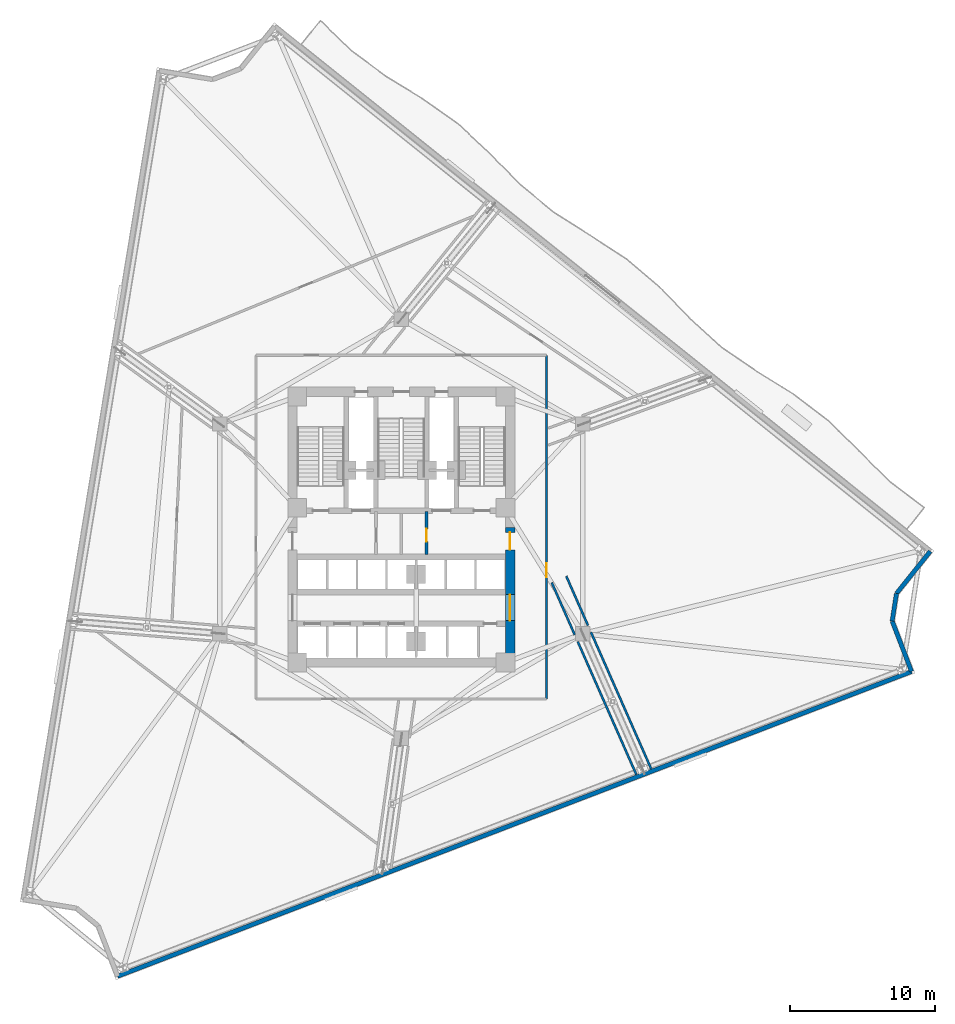
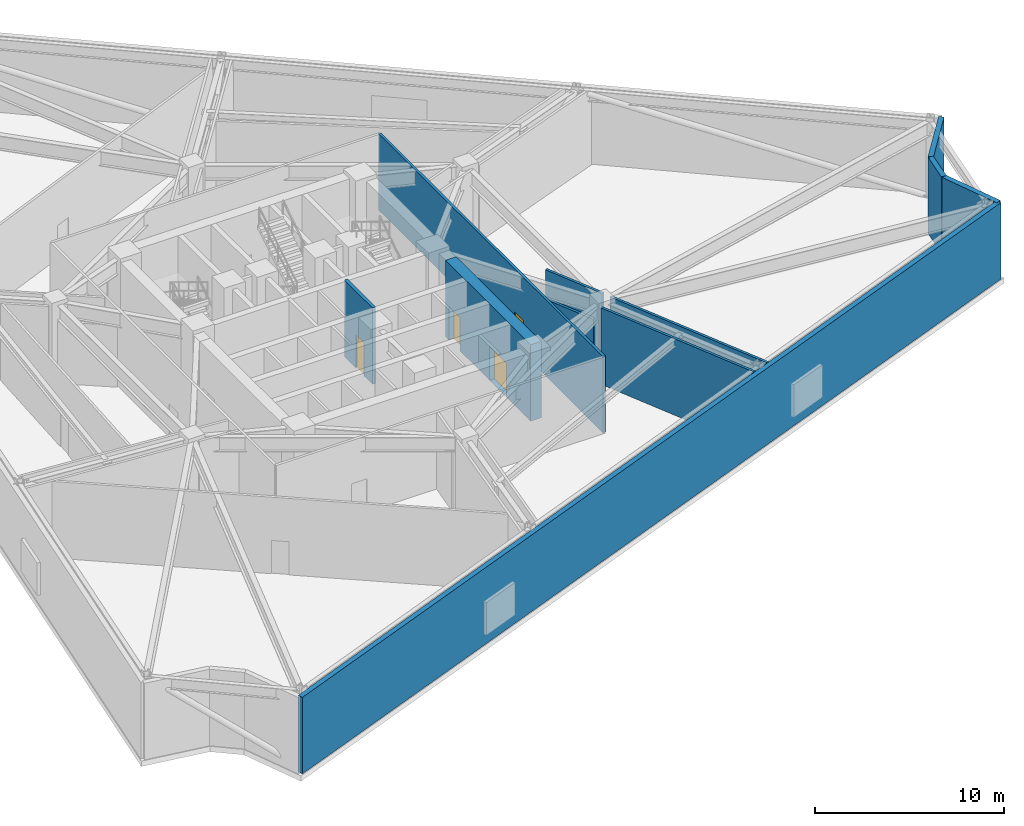
# One storey, part 13 of 18: 11 walls, 4 doors, 4 openings.
"""IFC4 building model written with IfcOpenShell, lengths in metres."""

from ifc_helpers import new_model, si_unit, direction, frame, frame_2d, origin, place, context, subcontext, project, spatial, rectangle, extrude, material, layer, layer_set, type_object, element, fill, save


model = new_model("IFC4")

# Units and contexts
model_context = context("Model", 3, precision=1e-05, world=origin(), true_north=direction((0.0, 1.0)))
body_context = subcontext(model_context, "Body", "Model", "MODEL_VIEW")
ifc_project = project(units=[si_unit("LENGTHUNIT", "METRE"), si_unit("AREAUNIT", "SQUARE_METRE"), si_unit("VOLUMEUNIT", "CUBIC_METRE"), si_unit("PLANEANGLEUNIT", "RADIAN"), si_unit("MASSUNIT", "GRAM", prefix="KILO")], contexts=[model_context])

# Site, building, storey
site_placement = place(None, origin())
site = spatial("IfcSite", under=ifc_project, at=site_placement, CompositionType="ELEMENT")
building_placement = place(site_placement, origin())
building = spatial("IfcBuilding", under=site, at=building_placement, Name="Apsidion Concourse Tower", CompositionType="ELEMENT")
storey_placement = place(building_placement, frame((0.0, 0.0, 127.0)))
storey = spatial("IfcBuildingStorey", under=building, at=storey_placement, Name="L29", CompositionType="ELEMENT", Elevation=127.0)

# Walls
ifc_material_1 = material(Name="Precast concrete C40/50", Category="concrete")
ifc_layer_1 = layer(ifc_material_1, 0.300048828125)
ifc_layer_set_1 = layer_set([ifc_layer_1], Name="Precast concrete C40/50")
wall_type_1 = type_object("IfcWallType", Name="WL-EXT-300", PredefinedType="STANDARD", material=ifc_layer_set_1)
wall_1_placement = place(storey_placement, frame((36.58984375, -1.556640625, 0.0), z_axis=(0.0, 0.0, 1.0), x_axis=(-0.62493402561, -0.780677567012, 0.0)))
element("IfcWall", 1, at=wall_1_placement, inside=storey, type_object=wall_type_1, Name="L29 Precast Stone Facade Wall 02", PredefinedType="STANDARD", context=body_context, shape_type="SweptSolid", body=[
    extrude(rectangle(XDim=3.737060546875, YDim=0.300048828125, at=frame_2d((1.86865234375, 0.0))), origin(), (0.0, 0.0, 1.0), 4.949951171875),
])
wall_2_placement = place(storey_placement, frame((34.25439453125, -4.47412109375, 0.0), z_axis=(0.0, 0.0, 1.0), x_axis=(-0.153717968475, -0.988114763663, 0.0)))
element("IfcWall", 2, at=wall_2_placement, inside=storey, type_object=wall_type_1, Name="L29 Precast Stone Facade Wall 03", PredefinedType="STANDARD", context=body_context, shape_type="SweptSolid", body=[
    extrude(rectangle(XDim=1.932861328125, YDim=0.300048828125, at=frame_2d((0.96630859375, 0.0))), origin(), (0.0, 0.0, 1.0), 4.949951171875),
])
wall_3_placement = place(storey_placement, frame((33.957275390625, -6.384033203125, 0.0), z_axis=(0.0, 0.0, 1.0), x_axis=(0.358344201462, -0.933589542186, 0.0)))
element("IfcWall", 3, at=wall_3_placement, inside=storey, type_object=wall_type_1, Name="L29 Precast Stone Facade Wall 04", PredefinedType="STANDARD", context=body_context, shape_type="SweptSolid", body=[
    extrude(rectangle(XDim=3.737060546875, YDim=0.300048828125, at=frame_2d((1.86865234375, 0.0))), origin(), (0.0, 0.0, 1.0), 4.949951171875),
])
wall_4_placement = place(storey_placement, frame((35.29638671875, -9.872802734375, 0.0), z_axis=(0.0, 0.0, 1.0), x_axis=(-0.933580612554, -0.35836746485, 0.0)))
element("IfcWall", 4, at=wall_4_placement, inside=storey, type_object=wall_type_1, Name="L29 Precast Stone Facade Wall 05", PredefinedType="STANDARD", context=body_context, shape_type="SweptSolid", body=[
    extrude(rectangle(XDim=58.827880859375, YDim=0.300048828125, at=frame_2d((29.4140625, 0.0))), origin(), (0.0, 0.0, 1.0), 4.949951171875),
])

# Wall, opening, door
ifc_material_2 = material(Name="Gypsum plasterboard partition")
ifc_layer_2 = layer(ifc_material_2, 0.14990234375)
ifc_layer_set_2 = layer_set([ifc_layer_2], Name="Gypsum plasterboard partition")
wall_type_2 = type_object("IfcWallType", Name="WL-INT-PAR-150", PredefinedType="PARTITIONING", material=ifc_layer_set_2)
wall_5_placement = place(storey_placement, frame((10.050048828125, 12.0, 0.0), z_axis=(0.0, 0.0, 1.0), x_axis=(0.0, -1.0, 0.0)))
wall_5 = element("IfcWall", 5, at=wall_5_placement, inside=storey, type_object=wall_type_2, Name="L29 Interior Partition WL-L29-CORR-02", PredefinedType="PARTITIONING", context=body_context, shape_type="SweptSolid", body=[
    extrude(rectangle(XDim=23.77490234375, YDim=0.14990234375, at=frame_2d((11.887451171875, 0.0))), origin(), (0.0, 0.0, 1.0), 4.949951171875),
])
opening_1_placement = place(wall_5_placement, frame((14.396240234375, 0.0, 0.0)))
opening_1 = element("IfcOpeningElement", 6, at=opening_1_placement, cuts=wall_5, Name="Opening D-01L", PredefinedType="OPENING", context=body_context, shape_type="SweptSolid", body=[
    extrude(rectangle(XDim=0.949951171875, YDim=2.14990234375, at=frame_2d((0.47509765625, 1.074951171875))), frame((0.0, 0.0849609375, 0.0), z_axis=(0.0, -1.0, 0.0), x_axis=(1.0, 0.0, 0.0)), (0.0, 0.0, 1.0), 0.169921875),
])
ifc_material_3 = material(Name="Brushed stainless steel 316", Category="steel")
door_type_1 = type_object("IfcDoorType", Name="DR-INT-D01L", OperationType="SINGLE_SWING_LEFT", PredefinedType="DOOR", material=ifc_material_3)
door_1_placement = place(opening_1_placement, origin())
door_1 = element("IfcDoor", 7, at=door_1_placement, inside=storey, type_object=door_type_1, Name="L29 Corridor Entry Door 01", OperationType="SINGLE_SWING_LEFT", OverallHeight=2.14990234375, OverallWidth=0.949951171875, PredefinedType="DOOR", context=body_context, shape_type="SweptSolid", body=[
    extrude(rectangle(XDim=0.949951171875, YDim=2.14990234375, at=frame_2d((0.47509765625, 1.074951171875))), frame((0.0, 0.02490234375, 0.0), z_axis=(0.0, -1.0, 0.0), x_axis=(1.0, 0.0, 0.0)), (0.0, 0.0, 1.0), 0.050048828125),
])
fill(opening_1, door_1)

# Walls
wall_6_placement = place(storey_placement, frame((10.4033203125, -3.719970703125, 0.0), z_axis=(0.0, 0.0, 1.0), x_axis=(0.403253068505, -0.91508849995, 0.0)))
element("IfcWall", 8, at=wall_6_placement, inside=storey, type_object=wall_type_2, Name="L29 Interior Partition WL-L29-OTW-02-1-1", PredefinedType="PARTITIONING", context=body_context, shape_type="SweptSolid", body=[
    extrude(rectangle(XDim=3.95947265625, YDim=0.14990234375, at=frame_2d((1.979736328125, 0.0))), origin(), (0.0, 0.0, 1.0), 3.998046875),
])
wall_7_placement = place(storey_placement, frame((12.205810546875, -7.81005859375, 0.0), z_axis=(0.0, 0.0, 1.0), x_axis=(0.403230385104, -0.915098495534, 0.0)))
element("IfcWall", 9, at=wall_7_placement, inside=storey, type_object=wall_type_2, Name="L29 Interior Partition WL-L29-OTW-02-1-2", PredefinedType="PARTITIONING", context=body_context, shape_type="SweptSolid", body=[
    extrude(rectangle(XDim=10.047607421875, YDim=0.14990234375, at=frame_2d((5.02392578125, 0.0))), origin(), (0.0, 0.0, 1.0), 4.949951171875),
])
wall_8_placement = place(storey_placement, frame((11.409912109375, -3.2763671875, 0.0), z_axis=(0.0, 0.0, 1.0), x_axis=(0.403282470024, -0.915075542986, 0.0)))
element("IfcWall", 10, at=wall_8_placement, inside=storey, type_object=wall_type_2, Name="L29 Interior Partition WL-L29-OTW-02-2-1", PredefinedType="PARTITIONING", context=body_context, shape_type="SweptSolid", body=[
    extrude(rectangle(XDim=3.73046875, YDim=0.14990234375, at=frame_2d((1.865234375, 0.0))), origin(), (0.0, 0.0, 1.0), 4.949951171875),
])
wall_9_placement = place(storey_placement, frame((13.1201171875, -7.156982421875, 0.0), z_axis=(0.0, 0.0, 1.0), x_axis=(0.403226452116, -0.915100228562, 0.0)))
element("IfcWall", 11, at=wall_9_placement, inside=storey, type_object=wall_type_2, Name="L29 Interior Partition WL-L29-OTW-02-2-2", PredefinedType="PARTITIONING", context=body_context, shape_type="SweptSolid", body=[
    extrude(rectangle(XDim=10.329833984375, YDim=0.14990234375, at=frame_2d((5.1650390625, 0.0))), origin(), (0.0, 0.0, 1.0), 4.949951171875),
])

# Wall, opening, door
ifc_layer_3 = layer(ifc_material_2, 0.199951171875)
ifc_layer_set_3 = layer_set([ifc_layer_3], Name="Gypsum plasterboard partition")
wall_type_3 = type_object("IfcWallType", Name="WL-INT-PAR-200", PredefinedType="PARTITIONING", material=ifc_layer_set_3)
wall_10_placement = place(storey_placement, frame((1.739990234375, -1.780029296875, 0.0), z_axis=(0.0, 0.0, 1.0), x_axis=(0.0, 1.0, 0.0)))
wall_10 = element("IfcWall", 12, at=wall_10_placement, inside=storey, type_object=wall_type_3, Name="L29 Interior Partition WL-L29-FF2-W", PredefinedType="PARTITIONING", context=body_context, shape_type="SweptSolid", body=[
    extrude(rectangle(XDim=2.97998046875, YDim=0.199951171875, at=frame_2d((1.489990234375, 0.0))), origin(), (0.0, 0.0, 1.0), 4.949951171875),
])
opening_2_placement = place(wall_10_placement, frame((0.889892578125, 0.0, 0.0)))
opening_2 = element("IfcOpeningElement", 13, at=opening_2_placement, cuts=wall_10, Name="Opening D-05L", PredefinedType="OPENING", context=body_context, shape_type="SweptSolid", body=[
    extrude(rectangle(XDim=0.8798828125, YDim=2.14990234375, at=frame_2d((0.43994140625, 1.074951171875))), frame((0.0, 0.10986328125, 0.0), z_axis=(0.0, -1.0, 0.0), x_axis=(1.0, 0.0, 0.0)), (0.0, 0.0, 1.0), 0.219970703125),
])
door_type_2 = type_object("IfcDoorType", Name="DR-INT-D05L", OperationType="SINGLE_SWING_LEFT", PredefinedType="DOOR", material=ifc_material_3)
door_2_placement = place(opening_2_placement, origin())
door_2 = element("IfcDoor", 14, at=door_2_placement, inside=storey, type_object=door_type_2, Name="L29 Core Electrical Door", OperationType="SINGLE_SWING_LEFT", OverallHeight=2.14990234375, OverallWidth=0.8798828125, PredefinedType="DOOR", context=body_context, shape_type="SweptSolid", body=[
    extrude(rectangle(XDim=0.8798828125, YDim=2.14990234375, at=frame_2d((0.43994140625, 1.074951171875))), frame((0.0, 0.02490234375, 0.0), z_axis=(0.0, -1.0, 0.0), x_axis=(1.0, 0.0, 0.0)), (0.0, 0.0, 1.0), 0.050048828125),
])
fill(opening_2, door_2)

# Wall, openings, doors
ifc_material_4 = material(Name="Concrete C50/60", Category="concrete")
ifc_layer_4 = layer(ifc_material_4, 0.64990234375)
ifc_layer_set_4 = layer_set([ifc_layer_4], Name="Concrete C50/60")
wall_type_4 = type_object("IfcWallType", Name="WL-SH-650", PredefinedType="SHEAR", material=ifc_layer_set_4)
wall_11_placement = place(storey_placement, frame((7.52490234375, -8.925048828125, 0.0), z_axis=(0.0, 0.0, 1.0), x_axis=(0.0, 1.0, 0.0)))
wall_11 = element("IfcWall", 15, at=wall_11_placement, inside=storey, type_object=wall_type_4, Name="L29 Central Core Shear Wall ES", PredefinedType="SHEAR", context=body_context, shape_type="SweptSolid", body=[
    extrude(rectangle(XDim=9.025146484375, YDim=0.64990234375, at=frame_2d((4.5126953125, 0.0))), origin(), (0.0, 0.0, 1.0), 4.949951171875),
])
opening_3_placement = place(wall_11_placement, frame((2.56494140625, 0.0, 0.0)))
opening_3 = element("IfcOpeningElement", 16, at=opening_3_placement, cuts=wall_11, Name="Opening D-06D", PredefinedType="OPENING", context=body_context, shape_type="SweptSolid", body=[
    extrude(rectangle(XDim=1.800048828125, YDim=2.199951171875, at=frame_2d((0.89990234375, 1.10009765625))), frame((0.0, 0.3349609375, 0.0), z_axis=(0.0, -1.0, 0.0), x_axis=(1.0, 0.0, 0.0)), (0.0, 0.0, 1.0), 0.669921875),
])
opening_4_placement = place(wall_11_placement, frame((7.47509765625, 0.0, 0.0)))
opening_4 = element("IfcOpeningElement", 17, at=opening_4_placement, cuts=wall_11, Name="Opening D-FFR", PredefinedType="OPENING", context=body_context, shape_type="SweptSolid", body=[
    extrude(rectangle(XDim=1.199951171875, YDim=2.14990234375, at=frame_2d((0.60009765625, 1.074951171875))), frame((0.0, 0.3349609375, 0.0), z_axis=(0.0, -1.0, 0.0), x_axis=(1.0, 0.0, 0.0)), (0.0, 0.0, 1.0), 0.669921875),
])
door_type_3 = type_object("IfcDoorType", Name="DR-INT-D06D", OperationType="DOUBLE_DOOR_SINGLE_SWING", PredefinedType="DOOR", material=ifc_material_3)
door_3_placement = place(opening_3_placement, origin())
door_3 = element("IfcDoor", 18, at=door_3_placement, inside=storey, type_object=door_type_3, Name="L29 Passenger Lift Lobby ES Portal Door", OperationType="DOUBLE_DOOR_SINGLE_SWING", OverallHeight=2.199951171875, OverallWidth=1.800048828125, PredefinedType="DOOR", context=body_context, shape_type="SweptSolid", body=[
    extrude(rectangle(XDim=1.800048828125, YDim=2.199951171875, at=frame_2d((0.89990234375, 1.10009765625))), frame((0.0, 0.02490234375, 0.0), z_axis=(0.0, -1.0, 0.0), x_axis=(1.0, 0.0, 0.0)), (0.0, 0.0, 1.0), 0.050048828125),
])
fill(opening_3, door_3)
door_type_4 = type_object("IfcDoorType", Name="DR-INT-FFR", OperationType="SINGLE_SWING_RIGHT", PredefinedType="DOOR", material=ifc_material_3)
door_4_placement = place(opening_4_placement, origin())
door_4 = element("IfcDoor", 19, at=door_4_placement, inside=storey, type_object=door_type_4, Name="L29 Firefighting Lift Lobby FF2 Door", OperationType="SINGLE_SWING_RIGHT", OverallHeight=2.14990234375, OverallWidth=1.199951171875, PredefinedType="DOOR", context=body_context, shape_type="SweptSolid", body=[
    extrude(rectangle(XDim=1.199951171875, YDim=2.14990234375, at=frame_2d((0.60009765625, 1.074951171875))), frame((0.0, 0.02490234375, 0.0), z_axis=(0.0, -1.0, 0.0), x_axis=(1.0, 0.0, 0.0)), (0.0, 0.0, 1.0), 0.050048828125),
])
fill(opening_4, door_4)

save(model, "model.ifc")
